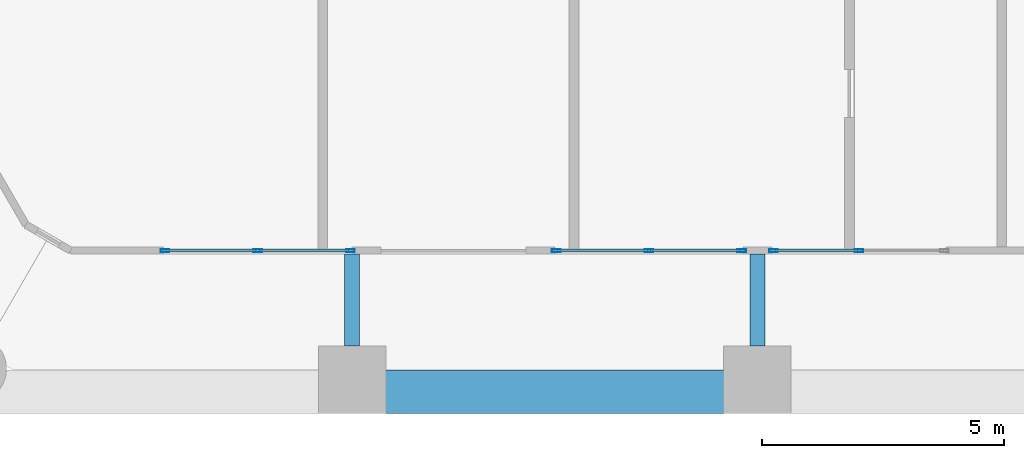
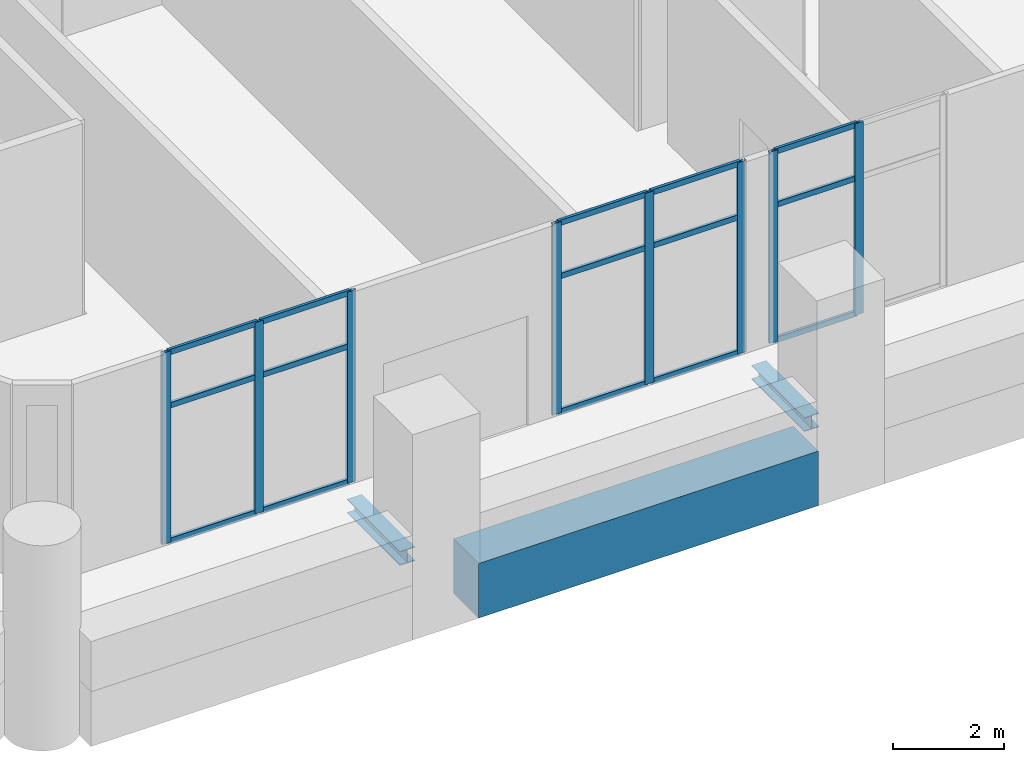
# One storey, part 3 of 18: 23 members, 3 beams, 3 elements without a shape of their own.
"""IFC4 building model written with IfcOpenShell, lengths in metres."""

from ifc_helpers import new_model, si_unit, direction, frame, origin, origin_2d, place, context, subcontext, project, spatial, rectangle, hollow_rectangle, i_section, extrude, material, material_profile, profile_set, type_object, element, aggregate, save


model = new_model("IFC4")

# Units and contexts
model_context = context("Model", 3, precision=1e-05, world=origin(), true_north=direction((0.0, 1.0)))
body_context = subcontext(model_context, "Body", "Model", "MODEL_VIEW")
ifc_project = project(units=[si_unit("LENGTHUNIT", "METRE"), si_unit("AREAUNIT", "SQUARE_METRE"), si_unit("VOLUMEUNIT", "CUBIC_METRE"), si_unit("PLANEANGLEUNIT", "RADIAN"), si_unit("MASSUNIT", "GRAM", prefix="KILO")], contexts=[model_context])

# Site, building, storey
site_placement = place(None, origin())
site = spatial("IfcSite", under=ifc_project, at=site_placement, CompositionType="ELEMENT")
building_placement = place(site_placement, origin())
building = spatial("IfcBuilding", under=site, at=building_placement, Name="Ostrander Bayou Hotel Tower", CompositionType="ELEMENT")
storey_placement = place(building_placement, frame((0.0, 0.0, 19.0)))
storey = spatial("IfcBuildingStorey", under=building, at=storey_placement, Name="L04", CompositionType="ELEMENT", Elevation=19.0)

# Curtain wall, members
ifc_material_1 = material(Name="Aluminium and clear glass", Category="aluminium")
curtain_wall_type = type_object("IfcCurtainWallType", Name="CW-SKY amenity glass wall", PredefinedType="NOTDEFINED", material=ifc_material_1)
curtain_wall_1_placement = place(storey_placement, origin())
curtain_wall_1 = element("IfcCurtainWall", 1, at=curtain_wall_1_placement, inside=storey, type_object=curtain_wall_type, Name="CW-SKY L04 S 1", PredefinedType="NOTDEFINED")
ifc_material_2 = material(Name="Aluminium", Category="aluminium")
ifc_material_profile_1 = material_profile(ifc_material_2, hollow_rectangle(XDim=0.06005859375, YDim=0.179931640625, WallThickness=0.00390625, at=origin_2d()))
ifc_profile_set_1 = profile_set([ifc_material_profile_1], Name="Aluminium")
member_type_1 = type_object("IfcMemberType", Name="CW-SK mullion 60 x 180 mm", PredefinedType="MULLION", material=ifc_profile_set_1)
member_1_placement = place(storey_placement, frame((-8.070068359375, -18.425048828125, 0.0), z_axis=(0.0, 0.0, 1.0), x_axis=(0.0, 1.0, 0.0)))
member_1 = element("IfcMember", 2, at=member_1_placement, type_object=member_type_1, Name="CW-SKY mullion 1", PredefinedType="MULLION", context=body_context, shape_type="SweptSolid", body=[
    extrude(hollow_rectangle(XDim=0.06005859375, YDim=0.179931640625, WallThickness=0.00390625, at=origin_2d()), origin(), (0.0, 0.0, 1.0), 4.199951171875),
])
member_2_placement = place(storey_placement, frame((-6.14990234375, -18.425048828125, 0.0), z_axis=(0.0, 0.0, 1.0), x_axis=(0.0, 1.0, 0.0)))
member_2 = element("IfcMember", 3, at=member_2_placement, type_object=member_type_1, Name="CW-SKY mullion 2", PredefinedType="MULLION", context=body_context, shape_type="SweptSolid", body=[
    extrude(hollow_rectangle(XDim=0.06005859375, YDim=0.179931640625, WallThickness=0.00390625, at=origin_2d()), origin(), (0.0, 0.0, 1.0), 4.199951171875),
])
member_3_placement = place(storey_placement, frame((-4.22998046875, -18.425048828125, 0.0), z_axis=(0.0, 0.0, 1.0), x_axis=(0.0, 1.0, 0.0)))
member_3 = element("IfcMember", 4, at=member_3_placement, type_object=member_type_1, Name="CW-SKY mullion 3", PredefinedType="MULLION", context=body_context, shape_type="SweptSolid", body=[
    extrude(hollow_rectangle(XDim=0.06005859375, YDim=0.179931640625, WallThickness=0.00390625, at=origin_2d()), origin(), (0.0, 0.0, 1.0), 4.199951171875),
])

curtain_wall_2_placement = place(storey_placement, origin())
curtain_wall_2 = element("IfcCurtainWall", 5, at=curtain_wall_2_placement, inside=storey, type_object=curtain_wall_type, Name="CW-SKY L04 S 3", PredefinedType="NOTDEFINED")
member_4_placement = place(storey_placement, frame((0.030029296875, -18.425048828125, 0.0), z_axis=(0.0, 0.0, 1.0), x_axis=(0.0, 1.0, 0.0)))
member_4 = element("IfcMember", 6, at=member_4_placement, type_object=member_type_1, Name="CW-SKY mullion 1", PredefinedType="MULLION", context=body_context, shape_type="SweptSolid", body=[
    extrude(hollow_rectangle(XDim=0.06005859375, YDim=0.179931640625, WallThickness=0.00390625, at=origin_2d()), origin(), (0.0, 0.0, 1.0), 4.199951171875),
])
member_5_placement = place(storey_placement, frame((1.949951171875, -18.425048828125, 0.0), z_axis=(0.0, 0.0, 1.0), x_axis=(0.0, 1.0, 0.0)))
member_5 = element("IfcMember", 7, at=member_5_placement, type_object=member_type_1, Name="CW-SKY mullion 2", PredefinedType="MULLION", context=body_context, shape_type="SweptSolid", body=[
    extrude(hollow_rectangle(XDim=0.06005859375, YDim=0.179931640625, WallThickness=0.00390625, at=origin_2d()), origin(), (0.0, 0.0, 1.0), 4.199951171875),
])
member_6_placement = place(storey_placement, frame((3.8701171875, -18.425048828125, 0.0), z_axis=(0.0, 0.0, 1.0), x_axis=(0.0, 1.0, 0.0)))
member_6 = element("IfcMember", 8, at=member_6_placement, type_object=member_type_1, Name="CW-SKY mullion 3", PredefinedType="MULLION", context=body_context, shape_type="SweptSolid", body=[
    extrude(hollow_rectangle(XDim=0.06005859375, YDim=0.179931640625, WallThickness=0.00390625, at=origin_2d()), origin(), (0.0, 0.0, 1.0), 4.199951171875),
])

curtain_wall_3_placement = place(storey_placement, origin())
curtain_wall_3 = element("IfcCurtainWall", 9, at=curtain_wall_3_placement, inside=storey, type_object=curtain_wall_type, Name="CW-SKY L04 S 4", PredefinedType="NOTDEFINED")
member_7_placement = place(storey_placement, frame((4.530029296875, -18.425048828125, 0.0), z_axis=(0.0, 0.0, 1.0), x_axis=(0.0, 1.0, 0.0)))
member_7 = element("IfcMember", 10, at=member_7_placement, type_object=member_type_1, Name="CW-SKY mullion 1", PredefinedType="MULLION", context=body_context, shape_type="SweptSolid", body=[
    extrude(hollow_rectangle(XDim=0.06005859375, YDim=0.179931640625, WallThickness=0.00390625, at=origin_2d()), origin(), (0.0, 0.0, 1.0), 4.199951171875),
])
member_8_placement = place(storey_placement, frame((6.300048828125, -18.425048828125, 0.0), z_axis=(0.0, 0.0, 1.0), x_axis=(0.0, 1.0, 0.0)))
member_8 = element("IfcMember", 11, at=member_8_placement, type_object=member_type_1, Name="CW-SKY mullion 2", PredefinedType="MULLION", context=body_context, shape_type="SweptSolid", body=[
    extrude(hollow_rectangle(XDim=0.06005859375, YDim=0.179931640625, WallThickness=0.00390625, at=origin_2d()), origin(), (0.0, 0.0, 1.0), 4.199951171875),
])

# Member
ifc_material_3 = material(Name="Aluminium", Category="aluminium")
ifc_material_profile_2 = material_profile(ifc_material_3, hollow_rectangle(XDim=0.06005859375, YDim=0.1201171875, WallThickness=0.00390625, at=origin_2d()))
ifc_profile_set_2 = profile_set([ifc_material_profile_2], Name="Aluminium")
member_type_2 = type_object("IfcMemberType", Name="CW-SK transom 60 x 120 mm", PredefinedType="USERDEFINED", material=ifc_profile_set_2)
member_9_placement = place(storey_placement, frame((-8.0400390625, -18.425048828125, 0.030029296875), z_axis=(1.0, 0.0, 0.0), x_axis=(0.0, 1.0, 0.0)))
member_9 = element("IfcMember", 12, at=member_9_placement, type_object=member_type_2, Name="CW-SKY transom 1.1", ObjectType="TRANSOM", PredefinedType="USERDEFINED", context=body_context, shape_type="SweptSolid", body=[
    extrude(hollow_rectangle(XDim=0.06005859375, YDim=0.1201171875, WallThickness=0.00390625, at=origin_2d()), origin(), (0.0, 0.0, 1.0), 1.860107421875),
])

member_10_placement = place(storey_placement, frame((-8.0400390625, -18.425048828125, 3.0), z_axis=(1.0, 0.0, 0.0), x_axis=(0.0, 1.0, 0.0)))
member_10 = element("IfcMember", 13, at=member_10_placement, type_object=member_type_2, Name="CW-SKY transom 1.2", ObjectType="TRANSOM", PredefinedType="USERDEFINED", context=body_context, shape_type="SweptSolid", body=[
    extrude(hollow_rectangle(XDim=0.06005859375, YDim=0.1201171875, WallThickness=0.00390625, at=origin_2d()), origin(), (0.0, 0.0, 1.0), 1.860107421875),
])

member_11_placement = place(storey_placement, frame((-8.0400390625, -18.425048828125, 4.169921875), z_axis=(1.0, 0.0, 0.0), x_axis=(0.0, 1.0, 0.0)))
member_11 = element("IfcMember", 14, at=member_11_placement, type_object=member_type_2, Name="CW-SKY transom 1.3", ObjectType="TRANSOM", PredefinedType="USERDEFINED", context=body_context, shape_type="SweptSolid", body=[
    extrude(hollow_rectangle(XDim=0.06005859375, YDim=0.1201171875, WallThickness=0.00390625, at=origin_2d()), origin(), (0.0, 0.0, 1.0), 1.860107421875),
])

member_12_placement = place(storey_placement, frame((-6.1201171875, -18.425048828125, 0.030029296875), z_axis=(1.0, 0.0, 0.0), x_axis=(0.0, 1.0, 0.0)))
member_12 = element("IfcMember", 15, at=member_12_placement, type_object=member_type_2, Name="CW-SKY transom 2.1", ObjectType="TRANSOM", PredefinedType="USERDEFINED", context=body_context, shape_type="SweptSolid", body=[
    extrude(hollow_rectangle(XDim=0.06005859375, YDim=0.1201171875, WallThickness=0.00390625, at=origin_2d()), origin(), (0.0, 0.0, 1.0), 1.860107421875),
])

member_13_placement = place(storey_placement, frame((-6.1201171875, -18.425048828125, 3.0), z_axis=(1.0, 0.0, 0.0), x_axis=(0.0, 1.0, 0.0)))
member_13 = element("IfcMember", 16, at=member_13_placement, type_object=member_type_2, Name="CW-SKY transom 2.2", ObjectType="TRANSOM", PredefinedType="USERDEFINED", context=body_context, shape_type="SweptSolid", body=[
    extrude(hollow_rectangle(XDim=0.06005859375, YDim=0.1201171875, WallThickness=0.00390625, at=origin_2d()), origin(), (0.0, 0.0, 1.0), 1.860107421875),
])

member_14_placement = place(storey_placement, frame((-6.1201171875, -18.425048828125, 4.169921875), z_axis=(1.0, 0.0, 0.0), x_axis=(0.0, 1.0, 0.0)))
member_14 = element("IfcMember", 17, at=member_14_placement, type_object=member_type_2, Name="CW-SKY transom 2.3", ObjectType="TRANSOM", PredefinedType="USERDEFINED", context=body_context, shape_type="SweptSolid", body=[
    extrude(hollow_rectangle(XDim=0.06005859375, YDim=0.1201171875, WallThickness=0.00390625, at=origin_2d()), origin(), (0.0, 0.0, 1.0), 1.860107421875),
])

aggregate(curtain_wall_1, [member_1, member_2, member_3, member_9, member_10, member_11, member_12, member_13, member_14])

member_15_placement = place(storey_placement, frame((0.06005859375, -18.425048828125, 0.030029296875), z_axis=(1.0, 0.0, 0.0), x_axis=(0.0, 1.0, 0.0)))
member_15 = element("IfcMember", 18, at=member_15_placement, type_object=member_type_2, Name="CW-SKY transom 1.1", ObjectType="TRANSOM", PredefinedType="USERDEFINED", context=body_context, shape_type="SweptSolid", body=[
    extrude(hollow_rectangle(XDim=0.06005859375, YDim=0.1201171875, WallThickness=0.00390625, at=origin_2d()), origin(), (0.0, 0.0, 1.0), 1.85986328125),
])

member_16_placement = place(storey_placement, frame((0.06005859375, -18.425048828125, 3.0), z_axis=(1.0, 0.0, 0.0), x_axis=(0.0, 1.0, 0.0)))
member_16 = element("IfcMember", 19, at=member_16_placement, type_object=member_type_2, Name="CW-SKY transom 1.2", ObjectType="TRANSOM", PredefinedType="USERDEFINED", context=body_context, shape_type="SweptSolid", body=[
    extrude(hollow_rectangle(XDim=0.06005859375, YDim=0.1201171875, WallThickness=0.00390625, at=origin_2d()), origin(), (0.0, 0.0, 1.0), 1.85986328125),
])

member_17_placement = place(storey_placement, frame((0.06005859375, -18.425048828125, 4.169921875), z_axis=(1.0, 0.0, 0.0), x_axis=(0.0, 1.0, 0.0)))
member_17 = element("IfcMember", 20, at=member_17_placement, type_object=member_type_2, Name="CW-SKY transom 1.3", ObjectType="TRANSOM", PredefinedType="USERDEFINED", context=body_context, shape_type="SweptSolid", body=[
    extrude(hollow_rectangle(XDim=0.06005859375, YDim=0.1201171875, WallThickness=0.00390625, at=origin_2d()), origin(), (0.0, 0.0, 1.0), 1.85986328125),
])

member_18_placement = place(storey_placement, frame((1.97998046875, -18.425048828125, 0.030029296875), z_axis=(1.0, 0.0, 0.0), x_axis=(0.0, 1.0, 0.0)))
member_18 = element("IfcMember", 21, at=member_18_placement, type_object=member_type_2, Name="CW-SKY transom 2.1", ObjectType="TRANSOM", PredefinedType="USERDEFINED", context=body_context, shape_type="SweptSolid", body=[
    extrude(hollow_rectangle(XDim=0.06005859375, YDim=0.1201171875, WallThickness=0.00390625, at=origin_2d()), origin(), (0.0, 0.0, 1.0), 1.860107421875),
])

member_19_placement = place(storey_placement, frame((1.97998046875, -18.425048828125, 3.0), z_axis=(1.0, 0.0, 0.0), x_axis=(0.0, 1.0, 0.0)))
member_19 = element("IfcMember", 22, at=member_19_placement, type_object=member_type_2, Name="CW-SKY transom 2.2", ObjectType="TRANSOM", PredefinedType="USERDEFINED", context=body_context, shape_type="SweptSolid", body=[
    extrude(hollow_rectangle(XDim=0.06005859375, YDim=0.1201171875, WallThickness=0.00390625, at=origin_2d()), origin(), (0.0, 0.0, 1.0), 1.860107421875),
])

member_20_placement = place(storey_placement, frame((1.97998046875, -18.425048828125, 4.169921875), z_axis=(1.0, 0.0, 0.0), x_axis=(0.0, 1.0, 0.0)))
member_20 = element("IfcMember", 23, at=member_20_placement, type_object=member_type_2, Name="CW-SKY transom 2.3", ObjectType="TRANSOM", PredefinedType="USERDEFINED", context=body_context, shape_type="SweptSolid", body=[
    extrude(hollow_rectangle(XDim=0.06005859375, YDim=0.1201171875, WallThickness=0.00390625, at=origin_2d()), origin(), (0.0, 0.0, 1.0), 1.860107421875),
])

aggregate(curtain_wall_2, [member_4, member_5, member_6, member_15, member_16, member_17, member_18, member_19, member_20])

member_21_placement = place(storey_placement, frame((4.56005859375, -18.425048828125, 0.030029296875), z_axis=(1.0, 0.0, 0.0), x_axis=(0.0, 1.0, 0.0)))
member_21 = element("IfcMember", 24, at=member_21_placement, type_object=member_type_2, Name="CW-SKY transom 1.1", ObjectType="TRANSOM", PredefinedType="USERDEFINED", context=body_context, shape_type="SweptSolid", body=[
    extrude(hollow_rectangle(XDim=0.06005859375, YDim=0.1201171875, WallThickness=0.00390625, at=origin_2d()), origin(), (0.0, 0.0, 1.0), 1.7099609375),
])

member_22_placement = place(storey_placement, frame((4.56005859375, -18.425048828125, 3.0), z_axis=(1.0, 0.0, 0.0), x_axis=(0.0, 1.0, 0.0)))
member_22 = element("IfcMember", 25, at=member_22_placement, type_object=member_type_2, Name="CW-SKY transom 1.2", ObjectType="TRANSOM", PredefinedType="USERDEFINED", context=body_context, shape_type="SweptSolid", body=[
    extrude(hollow_rectangle(XDim=0.06005859375, YDim=0.1201171875, WallThickness=0.00390625, at=origin_2d()), origin(), (0.0, 0.0, 1.0), 1.7099609375),
])

member_23_placement = place(storey_placement, frame((4.56005859375, -18.425048828125, 4.169921875), z_axis=(1.0, 0.0, 0.0), x_axis=(0.0, 1.0, 0.0)))
member_23 = element("IfcMember", 26, at=member_23_placement, type_object=member_type_2, Name="CW-SKY transom 1.3", ObjectType="TRANSOM", PredefinedType="USERDEFINED", context=body_context, shape_type="SweptSolid", body=[
    extrude(hollow_rectangle(XDim=0.06005859375, YDim=0.1201171875, WallThickness=0.00390625, at=origin_2d()), origin(), (0.0, 0.0, 1.0), 1.7099609375),
])

aggregate(curtain_wall_3, [member_7, member_8, member_21, member_22, member_23])

# Beams
ifc_material_4 = material(Name="Steel ASTM A992", Category="steel")
ifc_material_profile_3 = material_profile(ifc_material_4, i_section(OverallWidth=0.3046875, OverallDepth=0.307861328125, WebThickness=0.010009765625, FlangeThickness=0.015380859375, at=origin_2d()))
ifc_profile_set_3 = profile_set([ifc_material_profile_3], Name="Steel ASTM A992")
beam_type_1 = type_object("IfcBeamType", Name="LB1 loggia bracket W12x65", PredefinedType="BEAM", material=ifc_profile_set_3)
for number, where, z_axis, x_axis, name in (
    (27, (-4.1953125, -20.39990234375, -0.453857421875), (0.0, 1.0, 0.0), (-1.0, 0.0, 0.0), "LB1 L04 S1"),
    (28, (4.1953125, -20.39990234375, -0.453857421875), (0.0, 1.0, 0.0), (-1.0, 0.0, 0.0), "LB1 L04 S2"),
):
    element("IfcBeam", number, at=place(storey_placement, frame(where, z_axis=z_axis, x_axis=x_axis)), inside=storey, type_object=beam_type_1, Name=name, PredefinedType="BEAM", context=body_context, shape_type="SweptSolid", body=[
        extrude(i_section(OverallWidth=0.3046875, OverallDepth=0.307861328125, WebThickness=0.010009765625, FlangeThickness=0.015380859375, at=origin_2d()), origin(), (0.0, 0.0, 1.0), 1.89990234375),
    ])
ifc_material_5 = material(Name="Concrete f'c 70 MPa", Category="concrete")
ifc_material_profile_4 = material_profile(ifc_material_5, rectangle(XDim=0.89990234375, YDim=1.199951171875, at=origin_2d()))
ifc_profile_set_4 = profile_set([ifc_material_profile_4], Name="Concrete f'c 70 MPa")
beam_type_2 = type_object("IfcBeamType", Name="SP1 spandrel beam 900 x 1200 mm f'c 70 MPa", PredefinedType="SPANDREL", material=ifc_profile_set_4)
beam_placement = place(storey_placement, frame((-3.525390625, -21.35009765625, -0.60009765625), z_axis=(1.0, 0.0, 0.0), x_axis=(0.0, 1.0, 0.0)))
element("IfcBeam", 29, at=beam_placement, inside=storey, type_object=beam_type_2, Name="SP1 L04 S-2", PredefinedType="SPANDREL", context=body_context, shape_type="SweptSolid", body=[
    extrude(rectangle(XDim=0.89990234375, YDim=1.199951171875, at=origin_2d()), origin(), (0.0, 0.0, 1.0), 7.05078125),
])

save(model, "model.ifc")
